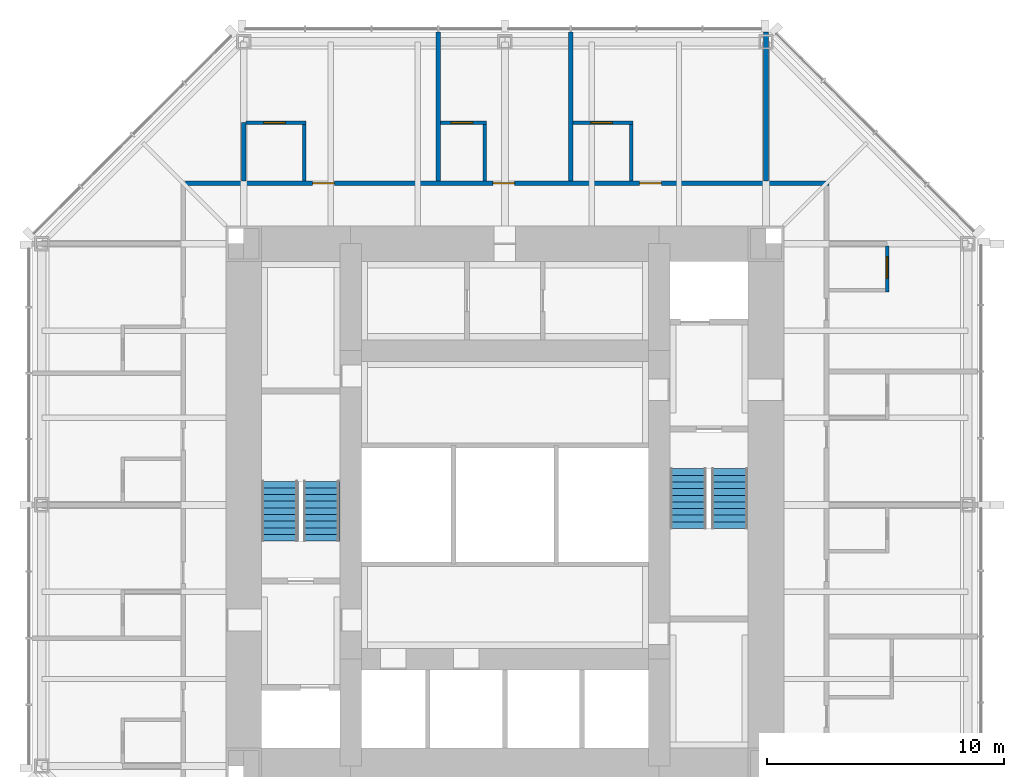
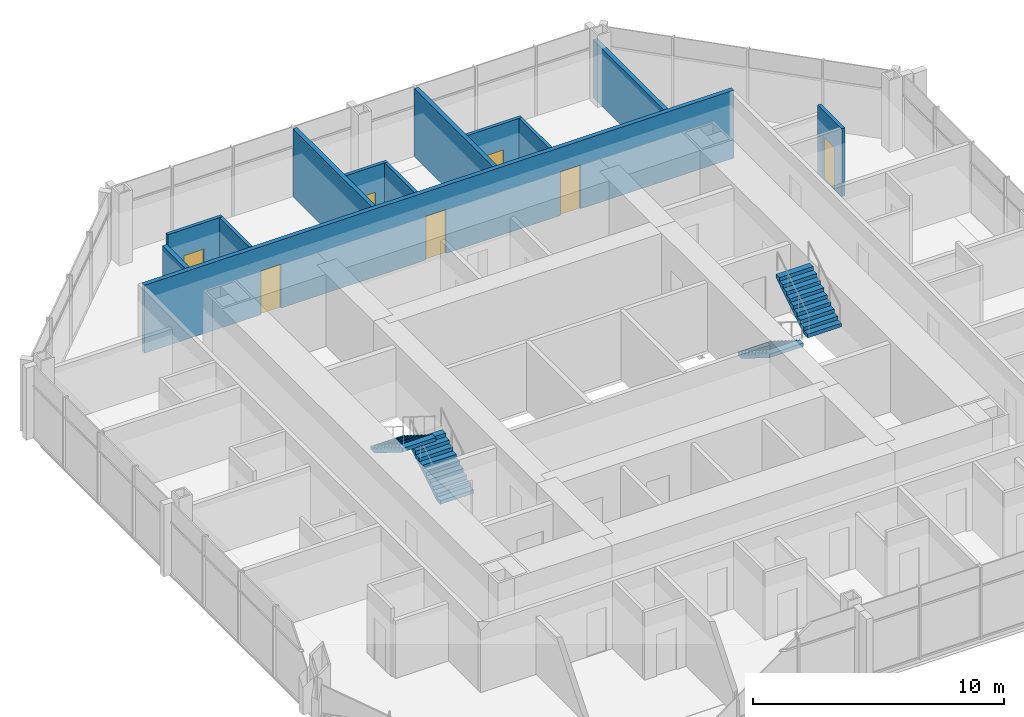
# One storey, part 10 of 12: 12 walls, 7 doors, 4 stair flights, 7 openings, 2 elements without a shape of their own.
"""IFC4 building model written with IfcOpenShell, lengths in metres."""

from ifc_helpers import new_model, si_unit, direction, frame, frame_2d, origin, place, context, subcontext, project, spatial, polyline, rectangle, outline, extrude, material, layer, layer_set, type_object, element, fill, aggregate, save


model = new_model("IFC4")

# Units and contexts
model_context = context("Model", 3, precision=1e-05, world=origin(), true_north=direction((0.0, 1.0)))
body_context = subcontext(model_context, "Body", "Model", "MODEL_VIEW")
ifc_project = project(units=[si_unit("LENGTHUNIT", "METRE"), si_unit("AREAUNIT", "SQUARE_METRE"), si_unit("VOLUMEUNIT", "CUBIC_METRE"), si_unit("PLANEANGLEUNIT", "RADIAN"), si_unit("MASSUNIT", "GRAM", prefix="KILO")], contexts=[model_context])

# Site, building, storey
site_placement = place(None, origin())
site = spatial("IfcSite", under=ifc_project, at=site_placement, CompositionType="ELEMENT")
building_placement = place(site_placement, origin())
building = spatial("IfcBuilding", under=site, at=building_placement, Name="Trevanion Tower", CompositionType="ELEMENT")
storey_placement = place(building_placement, frame((0.0, 0.0, 208.199951171875)))
storey = spatial("IfcBuildingStorey", under=building, at=storey_placement, Name="L49", CompositionType="ELEMENT", Elevation=208.199951171875)

# Wall, opening, door
ifc_material_1 = material(Name="Gypsum board on steel studs", Category="steel")
ifc_layer_1 = layer(ifc_material_1, 0.14990234375)
ifc_layer_set_1 = layer_set([ifc_layer_1], Name="PT1 partition 150")
wall_type_1 = type_object("IfcWallType", Name="PT1 partition 150", PredefinedType="PARTITIONING", material=ifc_layer_set_1)
wall_1_placement = place(storey_placement, frame((16.10009765625, 8.97509765625, 0.0), z_axis=(0.0, 0.0, 1.0), x_axis=(0.0, 1.0, 0.0)))
wall_1 = element("IfcWall", 1, at=wall_1_placement, inside=storey, type_object=wall_type_1, Name="PT1 L49 BA03", PredefinedType="PARTITIONING", context=body_context, shape_type="SweptSolid", body=[
    extrude(rectangle(XDim=1.9248046875, YDim=0.14990234375, at=frame_2d((0.96240234375, 0.0))), origin(), (0.0, 0.0, 1.0), 3.31005859375),
])
opening_1_placement = place(wall_1_placement, frame((0.5673828125, 0.0, 0.0)))
opening_1 = element("IfcOpeningElement", 2, at=opening_1_placement, cuts=wall_1, Name="Opening 49-022", PredefinedType="OPENING", context=body_context, shape_type="SweptSolid", body=[
    extrude(rectangle(XDim=0.9150390625, YDim=2.031982421875, at=frame_2d((0.45751953125, 1.01611328125))), frame((0.0, 0.0849609375, 0.0), z_axis=(0.0, -1.0, 0.0), x_axis=(1.0, 0.0, 0.0)), (0.0, 0.0, 1.0), 0.169921875),
])
ifc_material_2 = material(Name="Timber veneer", Category="wood")
door_type_1 = type_object("IfcDoorType", Name="D7 bathroom door", OperationType="SINGLE_SWING_LEFT", PredefinedType="DOOR", material=ifc_material_2)
door_1_placement = place(opening_1_placement, origin())
door_1 = element("IfcDoor", 3, at=door_1_placement, inside=storey, type_object=door_type_1, Name="Door 49-022", OperationType="SINGLE_SWING_LEFT", OverallHeight=2.031982421875, OverallWidth=0.9150390625, PredefinedType="DOOR", context=body_context, shape_type="SweptSolid", body=[
    extrude(rectangle(XDim=0.9150390625, YDim=2.031982421875, at=frame_2d((0.45751953125, 1.01611328125))), frame((0.0, 0.02490234375, 0.0), z_axis=(0.0, -1.0, 0.0), x_axis=(1.0, 0.0, 0.0)), (0.0, 0.0, 1.0), 0.050048828125),
])
fill(opening_1, door_1)

wall_2_placement = place(storey_placement, frame((5.39990234375, 16.10009765625, 0.0), z_axis=(0.0, 0.0, 1.0), x_axis=(-1.0, 0.0, 0.0)))
wall_2 = element("IfcWall", 4, at=wall_2_placement, inside=storey, type_object=wall_type_1, Name="PT1 L49 BA10", PredefinedType="PARTITIONING", context=body_context, shape_type="SweptSolid", body=[
    extrude(rectangle(XDim=2.52490234375, YDim=0.14990234375, at=frame_2d((1.262451171875, 0.0))), origin(), (0.0, 0.0, 1.0), 3.31005859375),
])
opening_2_placement = place(wall_2_placement, frame((0.867431640625, 0.0, 0.0)))
opening_2 = element("IfcOpeningElement", 5, at=opening_2_placement, cuts=wall_2, Name="Opening 49-024", PredefinedType="OPENING", context=body_context, shape_type="SweptSolid", body=[
    extrude(rectangle(XDim=0.9150390625, YDim=2.031982421875, at=frame_2d((0.45751953125, 1.01611328125))), frame((0.0, 0.0849609375, 0.0), z_axis=(0.0, -1.0, 0.0), x_axis=(1.0, 0.0, 0.0)), (0.0, 0.0, 1.0), 0.169921875),
])
door_2_placement = place(opening_2_placement, origin())
door_2 = element("IfcDoor", 6, at=door_2_placement, inside=storey, type_object=door_type_1, Name="Door 49-024", OperationType="SINGLE_SWING_LEFT", OverallHeight=2.031982421875, OverallWidth=0.9150390625, PredefinedType="DOOR", context=body_context, shape_type="SweptSolid", body=[
    extrude(rectangle(XDim=0.9150390625, YDim=2.031982421875, at=frame_2d((0.45751953125, 1.01611328125))), frame((0.0, 0.02490234375, 0.0), z_axis=(0.0, -1.0, 0.0), x_axis=(1.0, 0.0, 0.0)), (0.0, 0.0, 1.0), 0.050048828125),
])
fill(opening_2, door_2)

# Wall
wall_3_placement = place(storey_placement, frame((5.324951171875, 13.64990234375, 0.0), z_axis=(0.0, 0.0, 1.0), x_axis=(0.0, 1.0, 0.0)))
element("IfcWall", 7, at=wall_3_placement, inside=storey, type_object=wall_type_1, Name="PT1 L49 BB10", PredefinedType="PARTITIONING", context=body_context, shape_type="SweptSolid", body=[
    extrude(rectangle(XDim=2.375, YDim=0.14990234375, at=frame_2d((1.1875, 0.0))), origin(), (0.0, 0.0, 1.0), 3.31005859375),
])

# Wall, opening, door
wall_4_placement = place(storey_placement, frame((-0.781982421875, 16.10009765625, 0.0), z_axis=(0.0, 0.0, 1.0), x_axis=(-1.0, 0.0, 0.0)))
wall_4 = element("IfcWall", 8, at=wall_4_placement, inside=storey, type_object=wall_type_1, Name="PT1 L49 BA11", PredefinedType="PARTITIONING", context=body_context, shape_type="SweptSolid", body=[
    extrude(rectangle(XDim=1.925048828125, YDim=0.14990234375, at=frame_2d((0.96240234375, 0.0))), origin(), (0.0, 0.0, 1.0), 3.31005859375),
])
opening_3_placement = place(wall_4_placement, frame((0.5673828125, 0.0, 0.0)))
opening_3 = element("IfcOpeningElement", 9, at=opening_3_placement, cuts=wall_4, Name="Opening 49-026", PredefinedType="OPENING", context=body_context, shape_type="SweptSolid", body=[
    extrude(rectangle(XDim=0.9150390625, YDim=2.031982421875, at=frame_2d((0.45751953125, 1.01611328125))), frame((0.0, 0.0849609375, 0.0), z_axis=(0.0, -1.0, 0.0), x_axis=(1.0, 0.0, 0.0)), (0.0, 0.0, 1.0), 0.169921875),
])
door_3_placement = place(opening_3_placement, origin())
door_3 = element("IfcDoor", 10, at=door_3_placement, inside=storey, type_object=door_type_1, Name="Door 49-026", OperationType="SINGLE_SWING_LEFT", OverallHeight=2.031982421875, OverallWidth=0.9150390625, PredefinedType="DOOR", context=body_context, shape_type="SweptSolid", body=[
    extrude(rectangle(XDim=0.9150390625, YDim=2.031982421875, at=frame_2d((0.45751953125, 1.01611328125))), frame((0.0, 0.02490234375, 0.0), z_axis=(0.0, -1.0, 0.0), x_axis=(1.0, 0.0, 0.0)), (0.0, 0.0, 1.0), 0.050048828125),
])
fill(opening_3, door_3)

# Wall
wall_5_placement = place(storey_placement, frame((-0.85693359375, 13.64990234375, 0.0), z_axis=(0.0, 0.0, 1.0), x_axis=(0.0, 1.0, 0.0)))
element("IfcWall", 11, at=wall_5_placement, inside=storey, type_object=wall_type_1, Name="PT1 L49 BB11", PredefinedType="PARTITIONING", context=body_context, shape_type="SweptSolid", body=[
    extrude(rectangle(XDim=2.375, YDim=0.14990234375, at=frame_2d((1.1875, 0.0))), origin(), (0.0, 0.0, 1.0), 3.31005859375),
])

# Wall, opening, door
wall_6_placement = place(storey_placement, frame((-8.375, 16.10009765625, 0.0), z_axis=(0.0, 0.0, 1.0), x_axis=(-1.0, 0.0, 0.0)))
wall_6 = element("IfcWall", 12, at=wall_6_placement, inside=storey, type_object=wall_type_1, Name="PT1 L49 BA12", PredefinedType="PARTITIONING", context=body_context, shape_type="SweptSolid", body=[
    extrude(rectangle(XDim=2.52490234375, YDim=0.14990234375, at=frame_2d((1.262451171875, 0.0))), origin(), (0.0, 0.0, 1.0), 3.31005859375),
])
opening_4_placement = place(wall_6_placement, frame((0.867431640625, 0.0, 0.0)))
opening_4 = element("IfcOpeningElement", 13, at=opening_4_placement, cuts=wall_6, Name="Opening 49-028", PredefinedType="OPENING", context=body_context, shape_type="SweptSolid", body=[
    extrude(rectangle(XDim=0.9150390625, YDim=2.031982421875, at=frame_2d((0.45751953125, 1.01611328125))), frame((0.0, 0.0849609375, 0.0), z_axis=(0.0, -1.0, 0.0), x_axis=(1.0, 0.0, 0.0)), (0.0, 0.0, 1.0), 0.169921875),
])
door_4_placement = place(opening_4_placement, origin())
door_4 = element("IfcDoor", 14, at=door_4_placement, inside=storey, type_object=door_type_1, Name="Door 49-028", OperationType="SINGLE_SWING_LEFT", OverallHeight=2.031982421875, OverallWidth=0.9150390625, PredefinedType="DOOR", context=body_context, shape_type="SweptSolid", body=[
    extrude(rectangle(XDim=0.9150390625, YDim=2.031982421875, at=frame_2d((0.45751953125, 1.01611328125))), frame((0.0, 0.02490234375, 0.0), z_axis=(0.0, -1.0, 0.0), x_axis=(1.0, 0.0, 0.0)), (0.0, 0.0, 1.0), 0.050048828125),
])
fill(opening_4, door_4)

# Wall
wall_7_placement = place(storey_placement, frame((-8.449951171875, 13.64990234375, 0.0), z_axis=(0.0, 0.0, 1.0), x_axis=(0.0, 1.0, 0.0)))
element("IfcWall", 15, at=wall_7_placement, inside=storey, type_object=wall_type_1, Name="PT1 L49 BB12", PredefinedType="PARTITIONING", context=body_context, shape_type="SweptSolid", body=[
    extrude(rectangle(XDim=2.375, YDim=0.14990234375, at=frame_2d((1.1875, 0.0))), origin(), (0.0, 0.0, 1.0), 3.31005859375),
])

# Wall, openings, doors
ifc_material_3 = material(Name="Concrete masonry, grouted", Category="masonry")
ifc_layer_2 = layer(ifc_material_3, 0.199951171875)
ifc_layer_set_2 = layer_set([ifc_layer_2], Name="PT2 partition 200 1 HR")
wall_type_2 = type_object("IfcWallType", Name="PT2 partition 200 1 HR", PredefinedType="PARTITIONING", material=ifc_layer_set_2)
wall_8_placement = place(storey_placement, frame((13.64990234375, 13.550048828125, 0.0), z_axis=(0.0, 0.0, 1.0), x_axis=(-1.0, 0.0, 0.0)))
wall_8 = element("IfcWall", 16, at=wall_8_placement, inside=storey, type_object=wall_type_2, Name="PT2 L49 HC1", PredefinedType="PARTITIONING", context=body_context, shape_type="SweptSolid", body=[
    extrude(rectangle(XDim=27.099853515625, YDim=0.199951171875, at=frame_2d((13.5498046875, 0.0))), origin(), (0.0, 0.0, 1.0), 3.31005859375),
])
opening_5_placement = place(wall_8_placement, frame((7.0576171875, 0.0, 0.0)))
opening_5 = element("IfcOpeningElement", 17, at=opening_5_placement, cuts=wall_8, Name="Opening 49-025", PredefinedType="OPENING", context=body_context, shape_type="SweptSolid", body=[
    extrude(rectangle(XDim=0.9150390625, YDim=2.134033203125, at=frame_2d((0.45751953125, 1.06689453125))), frame((0.0, 0.10986328125, 0.0), z_axis=(0.0, -1.0, 0.0), x_axis=(1.0, 0.0, 0.0)), (0.0, 0.0, 1.0), 0.219970703125),
])
opening_6_placement = place(wall_8_placement, frame((13.239501953125, 0.0, 0.0)))
opening_6 = element("IfcOpeningElement", 18, at=opening_6_placement, cuts=wall_8, Name="Opening 49-027", PredefinedType="OPENING", context=body_context, shape_type="SweptSolid", body=[
    extrude(rectangle(XDim=0.9150390625, YDim=2.134033203125, at=frame_2d((0.45751953125, 1.06689453125))), frame((0.0, 0.10986328125, 0.0), z_axis=(0.0, -1.0, 0.0), x_axis=(1.0, 0.0, 0.0)), (0.0, 0.0, 1.0), 0.219970703125),
])
opening_7_placement = place(wall_8_placement, frame((20.83251953125, 0.0, 0.0)))
opening_7 = element("IfcOpeningElement", 19, at=opening_7_placement, cuts=wall_8, Name="Opening 49-029", PredefinedType="OPENING", context=body_context, shape_type="SweptSolid", body=[
    extrude(rectangle(XDim=0.9150390625, YDim=2.134033203125, at=frame_2d((0.45751953125, 1.06689453125))), frame((0.0, 0.10986328125, 0.0), z_axis=(0.0, -1.0, 0.0), x_axis=(1.0, 0.0, 0.0)), (0.0, 0.0, 1.0), 0.219970703125),
])
ifc_material_4 = material(Name="Timber veneer, fire rated", Category="wood")
door_type_2 = type_object("IfcDoorType", Name="D6 guest room entrance door", OperationType="SINGLE_SWING_LEFT", PredefinedType="DOOR", material=ifc_material_4)
door_5_placement = place(opening_5_placement, origin())
door_5 = element("IfcDoor", 20, at=door_5_placement, inside=storey, type_object=door_type_2, Name="Door 49-025", OperationType="SINGLE_SWING_LEFT", OverallHeight=2.134033203125, OverallWidth=0.9150390625, PredefinedType="DOOR", context=body_context, shape_type="SweptSolid", body=[
    extrude(rectangle(XDim=0.9150390625, YDim=2.134033203125, at=frame_2d((0.45751953125, 1.06689453125))), frame((0.0, 0.02490234375, 0.0), z_axis=(0.0, -1.0, 0.0), x_axis=(1.0, 0.0, 0.0)), (0.0, 0.0, 1.0), 0.050048828125),
])
fill(opening_5, door_5)
door_6_placement = place(opening_6_placement, origin())
door_6 = element("IfcDoor", 21, at=door_6_placement, inside=storey, type_object=door_type_2, Name="Door 49-027", OperationType="SINGLE_SWING_LEFT", OverallHeight=2.134033203125, OverallWidth=0.9150390625, PredefinedType="DOOR", context=body_context, shape_type="SweptSolid", body=[
    extrude(rectangle(XDim=0.9150390625, YDim=2.134033203125, at=frame_2d((0.45751953125, 1.06689453125))), frame((0.0, 0.02490234375, 0.0), z_axis=(0.0, -1.0, 0.0), x_axis=(1.0, 0.0, 0.0)), (0.0, 0.0, 1.0), 0.050048828125),
])
fill(opening_6, door_6)
door_7_placement = place(opening_7_placement, origin())
door_7 = element("IfcDoor", 22, at=door_7_placement, inside=storey, type_object=door_type_2, Name="Door 49-029", OperationType="SINGLE_SWING_LEFT", OverallHeight=2.134033203125, OverallWidth=0.9150390625, PredefinedType="DOOR", context=body_context, shape_type="SweptSolid", body=[
    extrude(rectangle(XDim=0.9150390625, YDim=2.134033203125, at=frame_2d((0.45751953125, 1.06689453125))), frame((0.0, 0.02490234375, 0.0), z_axis=(0.0, -1.0, 0.0), x_axis=(1.0, 0.0, 0.0)), (0.0, 0.0, 1.0), 0.050048828125),
])
fill(opening_7, door_7)

# Walls
wall_9_placement = place(storey_placement, frame((11.0, 13.64990234375, 0.0), z_axis=(0.0, 0.0, 1.0), x_axis=(0.0, 1.0, 0.0)))
element("IfcWall", 23, at=wall_9_placement, inside=storey, type_object=wall_type_2, Name="PT2 L49 HD10", PredefinedType="PARTITIONING", context=body_context, shape_type="SweptSolid", body=[
    extrude(rectangle(XDim=6.26513671875, YDim=0.199951171875, at=frame_2d((3.132568359375, 0.0))), origin(), (0.0, 0.0, 1.0), 2.802001953125),
])
for number, where, z_axis, x_axis, name in (
    (24, (2.77490234375, 13.64990234375, 0.0), (0.0, 0.0, 1.0), (0.0, 1.0, 0.0), "PT2 L49 HD11"),
    (25, (-2.806884765625, 13.64990234375, 0.0), (0.0, 0.0, 1.0), (0.0, 1.0, 0.0), "PT2 L49 HD12"),
):
    element("IfcWall", number, at=place(storey_placement, frame(where, z_axis=z_axis, x_axis=x_axis)), inside=storey, type_object=wall_type_2, Name=name, PredefinedType="PARTITIONING", context=body_context, shape_type="SweptSolid", body=[
        extrude(rectangle(XDim=6.26513671875, YDim=0.199951171875, at=frame_2d((3.132568359375, 0.0))), origin(), (0.0, 0.0, 1.0), 3.31005859375),
    ])
wall_10_placement = place(storey_placement, frame((-11.0, 13.64990234375, 0.0), z_axis=(0.0, 0.0, 1.0), x_axis=(0.0, 1.0, 0.0)))
element("IfcWall", 26, at=wall_10_placement, inside=storey, type_object=wall_type_2, Name="PT2 L49 BC12", PredefinedType="PARTITIONING", context=body_context, shape_type="SweptSolid", body=[
    extrude(rectangle(XDim=2.4501953125, YDim=0.199951171875, at=frame_2d((1.22509765625, 0.0))), origin(), (0.0, 0.0, 1.0), 2.802001953125),
])

# Stair, stair flights
ifc_material_5 = material(Name="Concrete 5,000 psi on steel stringers", Category="concrete")
stair_type = type_object("IfcStairType", Name="ST stair", PredefinedType="HALF_TURN_STAIR", material=ifc_material_5)
stair_1_placement = place(storey_placement, origin())
stair_1 = element("IfcStair", 27, at=stair_1_placement, inside=storey, type_object=stair_type, Name="ST1 L49", PredefinedType="HALF_TURN_STAIR")
ifc_material_6 = material(Name="Concrete 5,000 psi in steel pan", Category="concrete")
stair_flight_type = type_object("IfcStairFlightType", Name="STF stair flight", PredefinedType="STRAIGHT", material=ifc_material_6)
stair_flight_1_placement = place(storey_placement, frame((7.72509765625, 1.52490234375, 0.0), z_axis=(0.0, 0.0, 1.0), x_axis=(0.0, -1.0, 0.0)))
stair_flight_1 = element("IfcStairFlight", 28, at=stair_flight_1_placement, type_object=stair_flight_type, Name="ST1 flight 1", NumberOfRisers=10, NumberOfTreads=9, PredefinedType="STRAIGHT", RiserHeight=0.175, TreadLength=0.28, context=body_context, shape_type="SweptSolid", body=[
    extrude(outline(polyline([(0.0, 0.0), (0.0, 0.175048828125), (0.280029296875, 0.175048828125), (0.280029296875, 0.35009765625), (0.56005859375, 0.35009765625), (0.56005859375, 0.52490234375), (0.840087890625, 0.52490234375), (0.840087890625, 0.699951171875), (1.1201171875, 0.699951171875), (1.1201171875, 0.875), (1.39990234375, 0.875), (1.39990234375, 1.050048828125), (1.679931640625, 1.050048828125), (1.679931640625, 1.22509765625), (1.9599609375, 1.22509765625), (1.9599609375, 1.39990234375), (2.239990234375, 1.39990234375), (2.239990234375, 1.574951171875), (2.52001953125, 1.574951171875), (2.52001953125, 1.75), (2.52001953125, 1.398193359375), (0.28271484375, 0.0), (0.0, 0.0)])), frame((0.0, 0.77490234375, 0.0), z_axis=(0.0, -1.0, 0.0), x_axis=(1.0, 0.0, 0.0)), (0.0, 0.0, 1.0), 1.550048828125),
])
stair_flight_2_placement = place(storey_placement, frame((9.47509765625, -0.9951171875, 1.75), z_axis=(0.0, 0.0, 1.0), x_axis=(0.0, 1.0, 0.0)))
stair_flight_2 = element("IfcStairFlight", 29, at=stair_flight_2_placement, type_object=stair_flight_type, Name="ST1 flight 2", NumberOfRisers=10, NumberOfTreads=9, PredefinedType="STRAIGHT", RiserHeight=0.175, TreadLength=0.28, context=body_context, shape_type="SweptSolid", body=[
    extrude(outline(polyline([(0.0, 0.0), (0.0, 0.175048828125), (0.280029296875, 0.175048828125), (0.280029296875, 0.35009765625), (0.56005859375, 0.35009765625), (0.56005859375, 0.52490234375), (0.840087890625, 0.52490234375), (0.840087890625, 0.699951171875), (1.1201171875, 0.699951171875), (1.1201171875, 0.875), (1.39990234375, 0.875), (1.39990234375, 1.050048828125), (1.679931640625, 1.050048828125), (1.679931640625, 1.22509765625), (1.9599609375, 1.22509765625), (1.9599609375, 1.39990234375), (2.239990234375, 1.39990234375), (2.239990234375, 1.574951171875), (2.52001953125, 1.574951171875), (2.52001953125, 1.75), (2.52001953125, 1.398193359375), (0.28271484375, 0.0), (0.0, 0.0)])), frame((0.0, 0.77490234375, 0.0), z_axis=(0.0, -1.0, 0.0), x_axis=(1.0, 0.0, 0.0)), (0.0, 0.0, 1.0), 1.550048828125),
])
aggregate(stair_1, [stair_flight_1, stair_flight_2])

stair_2_placement = place(storey_placement, origin())
stair_2 = element("IfcStair", 30, at=stair_2_placement, inside=storey, type_object=stair_type, Name="ST2 L49", PredefinedType="HALF_TURN_STAIR")
stair_flight_3_placement = place(storey_placement, frame((-7.72509765625, -1.52490234375, 0.0), z_axis=(0.0, 0.0, 1.0), x_axis=(0.0, 1.0, 0.0)))
stair_flight_3 = element("IfcStairFlight", 31, at=stair_flight_3_placement, type_object=stair_flight_type, Name="ST2 flight 1", NumberOfRisers=10, NumberOfTreads=9, PredefinedType="STRAIGHT", RiserHeight=0.175, TreadLength=0.28, context=body_context, shape_type="SweptSolid", body=[
    extrude(outline(polyline([(0.0, 0.0), (0.0, 0.175048828125), (0.280029296875, 0.175048828125), (0.280029296875, 0.35009765625), (0.56005859375, 0.35009765625), (0.56005859375, 0.52490234375), (0.840087890625, 0.52490234375), (0.840087890625, 0.699951171875), (1.1201171875, 0.699951171875), (1.1201171875, 0.875), (1.39990234375, 0.875), (1.39990234375, 1.050048828125), (1.679931640625, 1.050048828125), (1.679931640625, 1.22509765625), (1.9599609375, 1.22509765625), (1.9599609375, 1.39990234375), (2.239990234375, 1.39990234375), (2.239990234375, 1.574951171875), (2.52001953125, 1.574951171875), (2.52001953125, 1.75), (2.52001953125, 1.398193359375), (0.28271484375, 0.0), (0.0, 0.0)])), frame((0.0, 0.77490234375, 0.0), z_axis=(0.0, -1.0, 0.0), x_axis=(1.0, 0.0, 0.0)), (0.0, 0.0, 1.0), 1.550048828125),
])
stair_flight_4_placement = place(storey_placement, frame((-9.47509765625, 0.9951171875, 1.75), z_axis=(0.0, 0.0, 1.0), x_axis=(0.0, -1.0, 0.0)))
stair_flight_4 = element("IfcStairFlight", 32, at=stair_flight_4_placement, type_object=stair_flight_type, Name="ST2 flight 2", NumberOfRisers=10, NumberOfTreads=9, PredefinedType="STRAIGHT", RiserHeight=0.175, TreadLength=0.28, context=body_context, shape_type="SweptSolid", body=[
    extrude(outline(polyline([(0.0, 0.0), (0.0, 0.175048828125), (0.280029296875, 0.175048828125), (0.280029296875, 0.35009765625), (0.56005859375, 0.35009765625), (0.56005859375, 0.52490234375), (0.840087890625, 0.52490234375), (0.840087890625, 0.699951171875), (1.1201171875, 0.699951171875), (1.1201171875, 0.875), (1.39990234375, 0.875), (1.39990234375, 1.050048828125), (1.679931640625, 1.050048828125), (1.679931640625, 1.22509765625), (1.9599609375, 1.22509765625), (1.9599609375, 1.39990234375), (2.239990234375, 1.39990234375), (2.239990234375, 1.574951171875), (2.52001953125, 1.574951171875), (2.52001953125, 1.75), (2.52001953125, 1.398193359375), (0.28271484375, 0.0), (0.0, 0.0)])), frame((0.0, 0.77490234375, 0.0), z_axis=(0.0, -1.0, 0.0), x_axis=(1.0, 0.0, 0.0)), (0.0, 0.0, 1.0), 1.550048828125),
])
aggregate(stair_2, [stair_flight_3, stair_flight_4])

save(model, "model.ifc")
